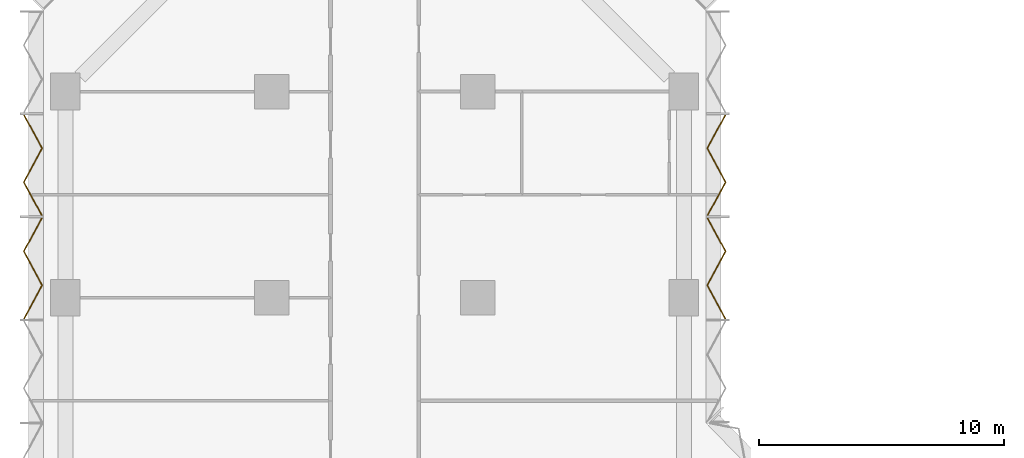
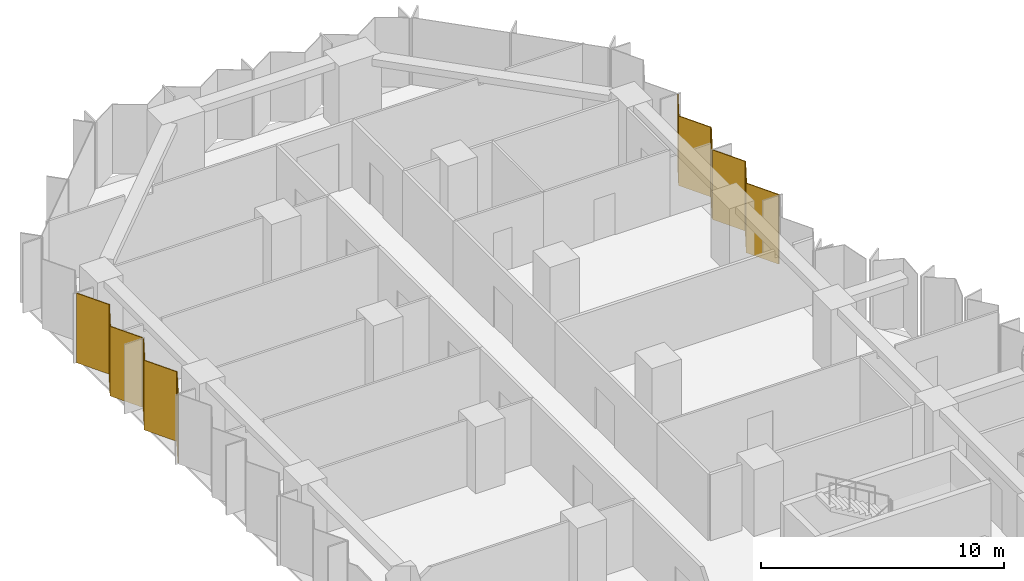
# One storey, part 15 of 15: 4 coverings, 2 elements without a shape of their own.
"""IFC4 building model written with IfcOpenShell, lengths in metres."""

from ifc_helpers import new_model, si_unit, direction, frame, origin, place, context, subcontext, project, spatial, polyline, outline, extrude, material, layer, layer_set, type_object, element, aggregate, save


model = new_model("IFC4")

# Units and contexts
model_context = context("Model", 3, precision=1e-05, world=origin(), true_north=direction((0.0, 1.0)))
body_context = subcontext(model_context, "Body", "Model", "MODEL_VIEW")
ifc_project = project(units=[si_unit("LENGTHUNIT", "METRE"), si_unit("AREAUNIT", "SQUARE_METRE"), si_unit("VOLUMEUNIT", "CUBIC_METRE"), si_unit("PLANEANGLEUNIT", "RADIAN"), si_unit("MASSUNIT", "GRAM", prefix="KILO")], contexts=[model_context])

# Site, building, storey
site_placement = place(None, origin())
site = spatial("IfcSite", under=ifc_project, at=site_placement, CompositionType="ELEMENT")
building_placement = place(site_placement, origin())
building = spatial("IfcBuilding", under=site, at=building_placement, Name="Brevane Broadcast Tower", CompositionType="ELEMENT")
storey_placement = place(building_placement, frame((0.0, 0.0, 76.10009765625)))
storey = spatial("IfcBuildingStorey", under=building, at=storey_placement, Name="L17", CompositionType="ELEMENT", Elevation=76.10009765625)

# Curtain wall, coverings
ifc_material_1 = material(Name="Aluminium 6063-T6 bronze anodised", Category="aluminium")
curtain_wall_type = type_object("IfcCurtainWallType", Name="CW-1 curtain wall", PredefinedType="NOTDEFINED", material=ifc_material_1)
curtain_wall_1_placement = place(storey_placement, origin())
curtain_wall_1 = element("IfcCurtainWall", 1, at=curtain_wall_1_placement, inside=storey, type_object=curtain_wall_type, Name="CW-1 typical tilted unit L17 north arm east face", PredefinedType="NOTDEFINED")
ifc_material_2 = material(Name="Back-painted bronze glass shadow-box", Category="glass")
ifc_layer = layer(ifc_material_2, 0.0400390625)
ifc_layer_set = layer_set([ifc_layer], Name="Shadow-box panel 40")
covering_type = type_object("IfcCoveringType", Name="Shadow-box panel 40", PredefinedType="CLADDING", material=ifc_layer_set)
covering_1_placement = place(storey_placement, frame((0.0, 0.0, -0.150146484375)))
covering_1 = element("IfcCovering", 2, at=covering_1_placement, type_object=covering_type, Name="Shadow-box panel", PredefinedType="CLADDING", context=body_context, shape_type="SweptSolid", body=[
    extrude(outline(polyline([(26.87158203125, 49.534912109375), (26.9169921875, 49.534912109375), (26.172607421875, 50.91162109375), (26.9169921875, 52.288330078125), (26.172607421875, 53.6650390625), (26.127197265625, 53.6650390625), (26.87158203125, 52.288330078125), (26.127197265625, 50.91162109375), (26.87158203125, 49.534912109375)])), origin(), (0.0, 0.0, 1.0), 3.5),
])
covering_2_placement = place(storey_placement, frame((0.0, 0.0, -0.150146484375)))
covering_2 = element("IfcCovering", 3, at=covering_2_placement, type_object=covering_type, Name="Shadow-box panel", PredefinedType="CLADDING", context=body_context, shape_type="SweptSolid", body=[
    extrude(outline(polyline([(26.127197265625, 53.735107421875), (26.172607421875, 53.735107421875), (26.9169921875, 55.11181640625), (26.172607421875, 56.48828125), (26.9169921875, 57.864990234375), (26.87158203125, 57.864990234375), (26.127197265625, 56.48828125), (26.87158203125, 55.11181640625), (26.127197265625, 53.735107421875)])), origin(), (0.0, 0.0, 1.0), 3.5),
])
aggregate(curtain_wall_1, [covering_1, covering_2])

curtain_wall_2_placement = place(storey_placement, origin())
curtain_wall_2 = element("IfcCurtainWall", 4, at=curtain_wall_2_placement, inside=storey, type_object=curtain_wall_type, Name="CW-1 typical tilted unit L17 west face", PredefinedType="NOTDEFINED")
covering_3_placement = place(storey_placement, frame((0.0, 0.0, -0.150146484375)))
covering_3 = element("IfcCovering", 5, at=covering_3_placement, type_object=covering_type, Name="Shadow-box panel", PredefinedType="CLADDING", context=body_context, shape_type="SweptSolid", body=[
    extrude(outline(polyline([(-1.671630859375, 57.864990234375), (-1.717041015625, 57.864990234375), (-0.97265625, 56.48828125), (-1.717041015625, 55.11181640625), (-0.97265625, 53.735107421875), (-0.92724609375, 53.735107421875), (-1.671630859375, 55.11181640625), (-0.92724609375, 56.48828125), (-1.671630859375, 57.864990234375)])), origin(), (0.0, 0.0, 1.0), 3.5),
])
covering_4_placement = place(storey_placement, frame((0.0, 0.0, -0.150146484375)))
covering_4 = element("IfcCovering", 6, at=covering_4_placement, type_object=covering_type, Name="Shadow-box panel", PredefinedType="CLADDING", context=body_context, shape_type="SweptSolid", body=[
    extrude(outline(polyline([(-0.92724609375, 53.6650390625), (-0.97265625, 53.6650390625), (-1.717041015625, 52.288330078125), (-0.97265625, 50.91162109375), (-1.717041015625, 49.534912109375), (-1.671630859375, 49.534912109375), (-0.92724609375, 50.91162109375), (-1.671630859375, 52.288330078125), (-0.92724609375, 53.6650390625)])), origin(), (0.0, 0.0, 1.0), 3.5),
])
aggregate(curtain_wall_2, [covering_3, covering_4])

save(model, "model.ifc")
